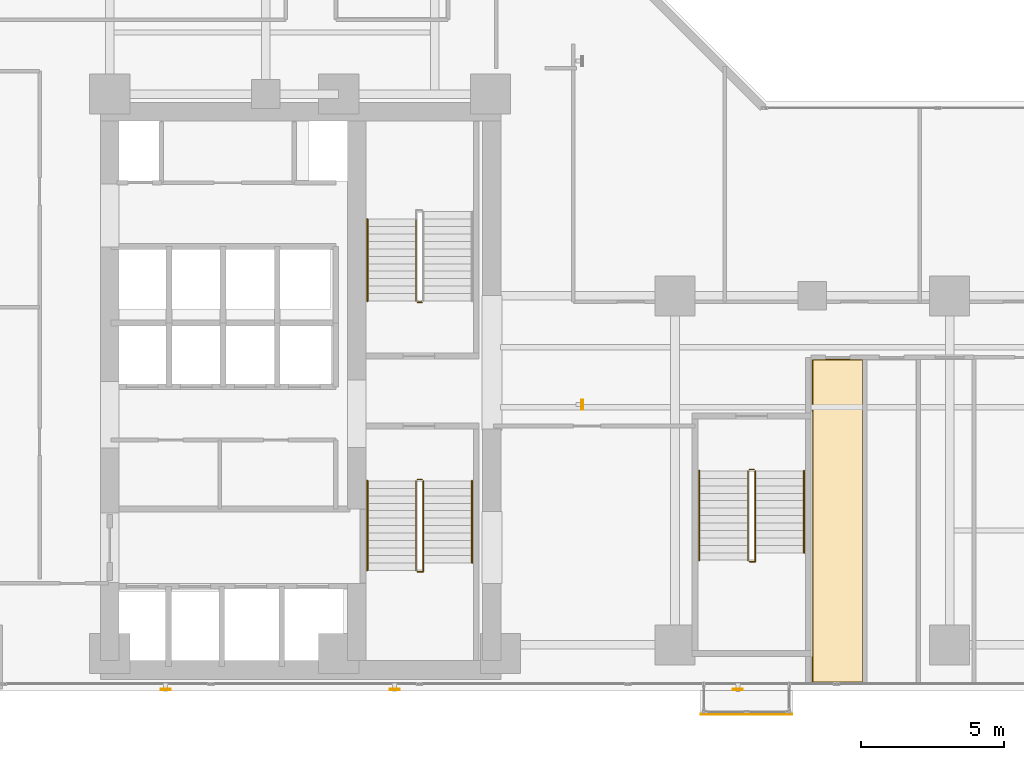
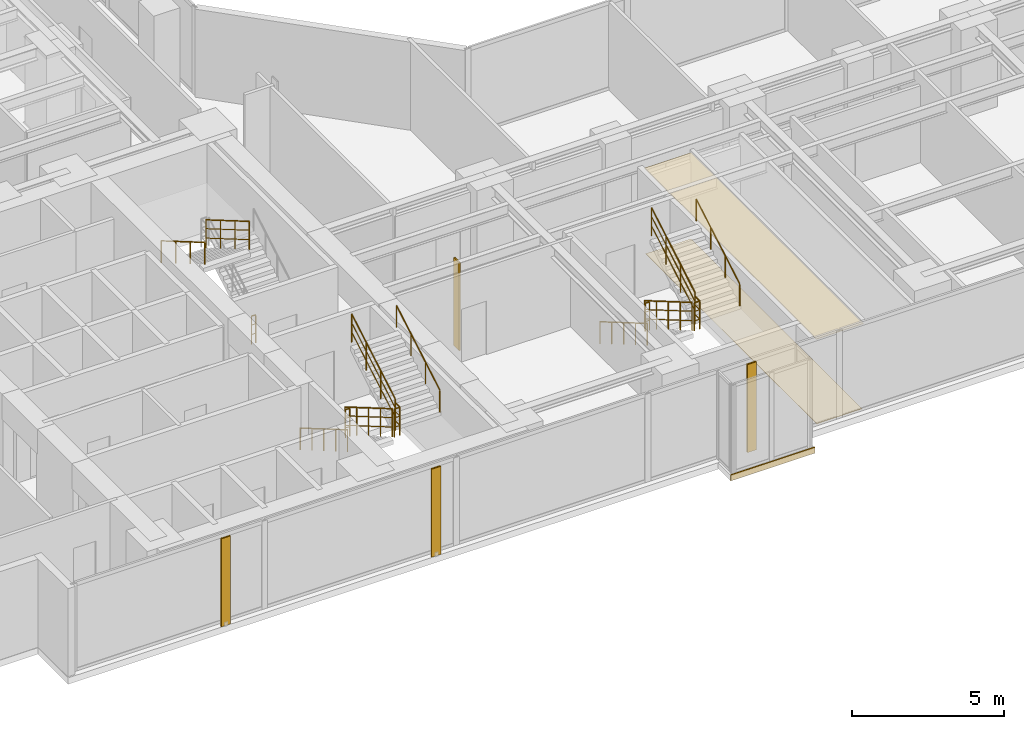
# One storey, part 23 of 26: 15 railings, 4 shading devices, 3 coverings.
"""IFC4 building model written with IfcOpenShell, lengths in metres."""

import ifcopenshell
import ifcopenshell.guid

model = None  # the IFC model being written
_history = None  # IfcOwnerHistory: only IFC2X3 demands one
_inside = {}  # id of a spatial element -> (the spatial element, [elements in it])
_under = {}  # id of a project, library or spatial element -> (it, [spatial elements below it])
_declared = {}  # id of a project -> (the project, [libraries it declares])
_typed = {}  # id of a type object -> (the type object, [elements of that type])
_made_of = {}  # id of a material, layer set ... -> (it, [elements and type objects made of it])


def new_model(schema):
    """Start an empty IFC model of exactly this schema.

    Asked for "IFC4X3", IfcOpenShell would pick the latest addendum, in which some entities
    have other attributes; the version numbers below select the first issue.
    IFC2X3 requires an IfcOwnerHistory on every rooted entity: one is made here for all.
    """
    global model, _history
    if schema == "IFC4X3":
        model = ifcopenshell.file(schema_version=(4, 3, 0, 0))
    else:
        model = ifcopenshell.file(schema=schema)
    _inside.clear()
    _under.clear()
    _declared.clear()
    _typed.clear()
    _made_of.clear()
    _history = None
    if model.schema == "IFC2X3":
        org = make("IfcOrganization", Name="unknown")
        user = make(
            "IfcPersonAndOrganization",
            ThePerson=make("IfcPerson", FamilyName="unknown"),
            TheOrganization=org,
        )
        app = make(
            "IfcApplication",
            ApplicationDeveloper=org,
            Version="unknown",
            ApplicationFullName="unknown",
            ApplicationIdentifier="unknown",
        )
        _history = make(
            "IfcOwnerHistory",
            OwningUser=user,
            OwningApplication=app,
            ChangeAction="ADDED",
            CreationDate=0,
        )
    return model


def make(cls, **values):
    """One entity of the class cls with the attributes given. An attribute that is None is left unset."""
    return model.create_entity(
        cls, **{name: value for name, value in values.items() if value is not None}
    )


def rooted(cls, **values):
    """An entity with a GlobalId (a new one), such as an element, a storey or a relation."""
    return make(cls, GlobalId=ifcopenshell.guid.new(), OwnerHistory=_history, **values)


def si_unit(unit_type, name, prefix=None):
    """IfcSIUnit, for example si_unit("LENGTHUNIT", "METRE", prefix="MILLI")."""
    return make("IfcSIUnit", UnitType=unit_type, Prefix=prefix, Name=name)


def assignment(units):
    """IfcUnitAssignment: the units of a project."""
    return None if units is None else make("IfcUnitAssignment", Units=units)


def point(xyz):
    """IfcCartesianPoint."""
    return None if xyz is None else make("IfcCartesianPoint", Coordinates=xyz)


def direction(xyz):
    """IfcDirection."""
    return None if xyz is None else make("IfcDirection", DirectionRatios=xyz)


def frame(location, z_axis=None, x_axis=None):
    """IfcAxis2Placement3D, a coordinate frame: its origin and axes. An axis left out is left unset."""
    return make(
        "IfcAxis2Placement3D",
        Location=point(location),
        Axis=direction(z_axis),
        RefDirection=direction(x_axis),
    )


def frame_2d(location, x_axis=None):
    """IfcAxis2Placement2D, a coordinate frame in the plane: its origin and x axis."""
    return make(
        "IfcAxis2Placement2D", Location=point(location), RefDirection=direction(x_axis)
    )


def origin():
    """The frame at (0, 0, 0) with its axes left unset."""
    return frame((0.0, 0.0, 0.0))


def origin_2d():
    """The frame at (0, 0) in the plane with its x axis left unset."""
    return frame_2d((0.0, 0.0))


def place(relative_to, where):
    """IfcLocalPlacement: puts the frame where relative to a parent placement (None: the world)."""
    return make(
        "IfcLocalPlacement", PlacementRelTo=relative_to, RelativePlacement=where
    )


def context(
    kind, dimensions, precision=None, world=None, true_north=None, identifier=None
):
    """IfcGeometricRepresentationContext, for example the 3D "Model" context."""
    return make(
        "IfcGeometricRepresentationContext",
        ContextIdentifier=identifier,
        ContextType=kind,
        CoordinateSpaceDimension=dimensions,
        Precision=precision,
        WorldCoordinateSystem=world,
        TrueNorth=true_north,
    )


def subcontext(parent, identifier, kind, view, scale=None):
    """IfcGeometricRepresentationSubContext, for example "Body" below "Model"."""
    return make(
        "IfcGeometricRepresentationSubContext",
        ContextIdentifier=identifier,
        ContextType=kind,
        ParentContext=parent,
        TargetScale=scale,
        TargetView=view,
    )


def project(units=None, contexts=None):
    """IfcProject with its units and contexts."""
    return rooted(
        "IfcProject",
        Name="project",
        RepresentationContexts=contexts,
        UnitsInContext=assignment(units),
    )


def spatial(cls, under=None, at=None, **own):
    """A site, building, storey or space (cls), placed at a placement, below another one or the project."""
    s = rooted(cls, ObjectPlacement=at, **own)
    if under is not None:
        _under.setdefault(under.id(), (under, []))[1].append(s)
    return s


def polyline(points):
    """IfcPolyline through the points."""
    return make("IfcPolyline", Points=[point(p) for p in points])


def profile(cls, at=None, kind="AREA", **sizes):
    """A parametric profile (cls). Its sizes go by their IFC names, for example OverallWidth=200.0."""
    return make(cls, ProfileType=kind, Position=at, **sizes)


def rectangle(**sizes):
    """IfcRectangleProfileDef."""
    return profile("IfcRectangleProfileDef", **sizes)


def hollow_rectangle(**sizes):
    """IfcRectangleHollowProfileDef."""
    return profile("IfcRectangleHollowProfileDef", **sizes)


def circle(**sizes):
    """IfcCircleProfileDef."""
    return profile("IfcCircleProfileDef", **sizes)


def outline(outer, holes=None, kind="AREA"):
    """IfcArbitraryClosedProfileDef: a profile drawn as a closed curve; with holes, ...WithVoids."""
    if holes is None:
        return make("IfcArbitraryClosedProfileDef", ProfileType=kind, OuterCurve=outer)
    return make(
        "IfcArbitraryProfileDefWithVoids",
        ProfileType=kind,
        OuterCurve=outer,
        InnerCurves=holes,
    )


def extrude(swept, where, along, depth):
    """IfcExtrudedAreaSolid: the profile swept, set in the frame where, extruded along a direction by depth."""
    return make(
        "IfcExtrudedAreaSolid",
        SweptArea=swept,
        Position=where,
        ExtrudedDirection=direction(along),
        Depth=depth,
    )


def shape(context_of_items, identifier, shape_type, items):
    """IfcShapeRepresentation: the items that make up one representation, for example the "Body"."""
    return make(
        "IfcShapeRepresentation",
        ContextOfItems=context_of_items,
        RepresentationIdentifier=identifier,
        RepresentationType=shape_type,
        Items=items,
    )


def material(Name=None, Category=None):
    """IfcMaterial."""
    return make("IfcMaterial", Name=Name, Category=Category)


def layer(
    of_material, thickness, ventilated=None, Name=None, Category=None, Priority=None
):
    """IfcMaterialLayer: one layer of a wall or slab, of a material (None: an air gap)."""
    return make(
        "IfcMaterialLayer",
        Material=of_material,
        LayerThickness=thickness,
        IsVentilated=ventilated,
        Name=Name,
        Category=Category,
        Priority=Priority,
    )


def layer_set(layers, Name=None):
    """IfcMaterialLayerSet."""
    return make("IfcMaterialLayerSet", MaterialLayers=layers, LayerSetName=Name)


def material_profile(
    of_material, cross_section, Name=None, Category=None, Priority=None
):
    """IfcMaterialProfile: a cross section and its material."""
    return make(
        "IfcMaterialProfile",
        Name=Name,
        Material=of_material,
        Profile=cross_section,
        Priority=Priority,
        Category=Category,
    )


def profile_set(profiles, Name=None, composite=None):
    """IfcMaterialProfileSet."""
    return make(
        "IfcMaterialProfileSet",
        Name=Name,
        MaterialProfiles=profiles,
        CompositeProfile=composite,
    )


def made_of(thing, what):
    """Note that an element or type object is made of a material, layer set ...; save() writes the relation."""
    if what is not None:
        _made_of.setdefault(what.id(), (what, []))[1].append(thing)
    return thing


def type_object(cls, material=None, **own):
    """A type object (cls), such as IfcWallType, which elements share."""
    return made_of(rooted(cls, **own), material)


def element(
    cls,
    number,
    at=None,
    inside=None,
    cuts=None,
    type_object=None,
    material=None,
    context=None,
    identifier="Body",
    shape_type=None,
    held_by="IfcProductDefinitionShape",
    body=None,
    shapes=None,
    **own,
):
    """One element of the class cls, such as IfcWall. Its Tag is "e" and its number.

    at: its placement. inside: the storey or other place that contains it. cuts: it is an
    opening in that element (IfcRelVoidsElement). A single representation is given by context,
    identifier, shape_type and body (its items); several are given by shapes. held_by: the class
    of the entity that holds the representations. save() writes the other relations.
    """
    e = rooted(cls, Tag="e%d" % number, ObjectPlacement=at, **own)
    if body is not None:
        shapes = [shape(context, identifier, shape_type, body)]
    if shapes is not None:
        e.Representation = make(held_by, Representations=shapes)
    if inside is not None:
        _inside.setdefault(inside.id(), (inside, []))[1].append(e)
    if cuts is not None:
        rooted(
            "IfcRelVoidsElement", RelatingBuildingElement=cuts, RelatedOpeningElement=e
        )
    if type_object is not None:
        _typed.setdefault(type_object.id(), (type_object, []))[1].append(e)
    return made_of(e, material)


def aggregate(whole, parts):
    """IfcRelAggregates: a whole, such as a stair, and the parts it consists of."""
    return rooted("IfcRelAggregates", RelatingObject=whole, RelatedObjects=parts)


def save(model, path):
    """Write the relations noted so far, then the file.

    IfcRelAggregates (storeys below a building ...), IfcRelContainedInSpatialStructure (elements
    in a storey), IfcRelDefinesByType, IfcRelAssociatesMaterial and IfcRelDeclares: one each for
    every whole, place, type object, material and project.
    """
    for whole, parts in _under.values():
        aggregate(whole, parts)
    for where, things in _inside.values():
        rooted(
            "IfcRelContainedInSpatialStructure",
            RelatedElements=things,
            RelatingStructure=where,
        )
    for kind, things in _typed.values():
        rooted("IfcRelDefinesByType", RelatedObjects=things, RelatingType=kind)
    for what, things in _made_of.values():
        rooted("IfcRelAssociatesMaterial", RelatedObjects=things, RelatingMaterial=what)
    for by, libraries in _declared.values():
        rooted("IfcRelDeclares", RelatingContext=by, RelatedDefinitions=libraries)
    model.write(path)


model = new_model("IFC4")

# Units and contexts
model_context = context("Model", 3, precision=1e-05, world=origin(), true_north=direction((0.0, 1.0)))
body_context = subcontext(model_context, "Body", "Model", "MODEL_VIEW")
ifc_project = project(units=[si_unit("LENGTHUNIT", "METRE"), si_unit("AREAUNIT", "SQUARE_METRE"), si_unit("VOLUMEUNIT", "CUBIC_METRE"), si_unit("PLANEANGLEUNIT", "RADIAN"), si_unit("MASSUNIT", "GRAM", prefix="KILO")], contexts=[model_context])

# Site, building, storey
site_placement = place(None, origin())
site = spatial("IfcSite", under=ifc_project, at=site_placement, CompositionType="ELEMENT")
building_placement = place(site_placement, origin())
building = spatial("IfcBuilding", under=site, at=building_placement, Name="Kolvaren Waterfront Exchange", CompositionType="ELEMENT")
storey_placement = place(building_placement, frame((0.0, 0.0, 125.89990234375)))
storey = spatial("IfcBuildingStorey", under=building, at=storey_placement, Name="L32", CompositionType="ELEMENT", Elevation=125.89990234375)

# Coverings
ifc_material_1 = material(Name="Mineral fibre acoustic ceiling tile")
ifc_layer_1 = layer(ifc_material_1, 0.02490234375, Name="Mineral fibre acoustic ceiling tile")
ifc_layer_set_1 = layer_set([ifc_layer_1], Name="Mineral fibre acoustic ceiling tile")
covering_type_1 = type_object("IfcCoveringType", Name="ARC-CEIL-ACOUSTIC-25", PredefinedType="CEILING", material=ifc_layer_set_1)
covering_1_placement = place(storey_placement, frame((0.0, 0.0, 3.425048828125)))
element("IfcCovering", 1, at=covering_1_placement, inside=storey, type_object=covering_type_1, Name="L32 acoustic suspended ceiling 2", PredefinedType="CEILING", context=body_context, shape_type="SweptSolid", body=[
    extrude(outline(polyline([(33.784912109375, 3.864990234375), (33.784912109375, 15.195068359375), (31.9951171875, 15.195068359375), (31.9951171875, 13.35009765625), (32.0, 13.35009765625), (32.0, 4.800048828125), (31.9951171875, 4.800048828125), (31.9951171875, 3.864990234375), (33.784912109375, 3.864990234375)])), origin(), (0.0, 0.0, 1.0), 0.025146484375),
])
ifc_material_2 = material(Name="Anodised bronze fascia aluminium", Category="aluminium")
ifc_layer_2 = layer(ifc_material_2, 0.034912109375, Name="Anodised bronze fascia aluminium")
ifc_layer_set_2 = layer_set([ifc_layer_2], Name="Anodised bronze fascia aluminium")
covering_type_2 = type_object("IfcCoveringType", Name="ARC-CLAD-BRONZE-35", PredefinedType="CLADDING", material=ifc_layer_set_2)
covering_2_placement = place(storey_placement, frame((29.699951171875, 2.77001953125, -0.2197265625), z_axis=(0.0, 0.0, 1.0), x_axis=(1.0, 0.0, 0.0)))
element("IfcCovering", 2, at=covering_2_placement, inside=storey, type_object=covering_type_2, Name="L32 ribbed anodised bronze bay-box fascia", PredefinedType="CLADDING", context=body_context, shape_type="SweptSolid", body=[
    extrude(rectangle(XDim=3.199951171875, YDim=0.034912109375, at=origin_2d()), origin(), (0.0, 0.0, 1.0), 0.239990234375),
])

# Shading devices
ifc_material_3 = material(Name="Anodised bronze aluminium 6063-T6", Category="aluminium")
ifc_material_profile = material_profile(ifc_material_3, hollow_rectangle(XDim=0.06005859375, YDim=0.35009765625, WallThickness=0.0048828125, at=origin_2d()), Name="BRZ-FIN-350x60x5")
ifc_profile_set = profile_set([ifc_material_profile], Name="Anodised bronze aluminium 6063-T6")
shading_device_type = type_object("IfcShadingDeviceType", Name="ARC-FIN-350", PredefinedType="USERDEFINED", material=ifc_profile_set)
for number, where, z_axis, x_axis, name in (
    (3, (9.39990234375, 3.639892578125, 0.0), (0.0, 0.0, 1.0), (0.0, -1.0, 0.0), "L32 anodised bronze solar shading fin FIN-L32-S1"),
    (4, (17.39990234375, 3.639892578125, 0.0), (0.0, 0.0, 1.0), (0.0, -1.0, 0.0), "L32 anodised bronze solar shading fin FIN-L32-S2"),
    (5, (29.39990234375, 3.639892578125, 0.0), (0.0, 0.0, 1.0), (0.0, -1.0, 0.0), "L32 anodised bronze solar shading fin FIN-L32-S3"),
    (6, (23.9599609375, 13.60009765625, 0.0), (0.0, 0.0, 1.0), (1.0, 0.0, 0.0), "L32 anodised bronze solar shading fin FIN-L32-E1"),
):
    element("IfcShadingDevice", number, at=place(storey_placement, frame(where, z_axis=z_axis, x_axis=x_axis)), inside=storey, type_object=shading_device_type, Name=name, ObjectType="SOLAR FIN", PredefinedType="USERDEFINED", context=body_context, shape_type="SweptSolid", body=[
        extrude(hollow_rectangle(XDim=0.06005859375, YDim=0.35009765625, WallThickness=0.0048828125, at=origin_2d()), origin(), (0.0, 0.0, 1.0), 3.5400390625),
    ])

# Covering
ifc_material_4 = material(Name="Slip-resistant porcelain tile")
ifc_layer_3 = layer(ifc_material_4, 0.014892578125, Name="Slip-resistant porcelain tile")
ifc_layer_set_3 = layer_set([ifc_layer_3], Name="Slip-resistant porcelain tile")
covering_type_3 = type_object("IfcCoveringType", Name="ARC-FLR-PORC-15", PredefinedType="FLOORING", material=ifc_layer_set_3)
covering_3_placement = place(storey_placement, origin())
element("IfcCovering", 7, at=covering_3_placement, inside=storey, type_object=covering_type_3, Name="L32 floor finish 2", PredefinedType="FLOORING", context=body_context, shape_type="SweptSolid", body=[
    extrude(outline(polyline([(32.030029296875, 15.159912109375), (32.030029296875, 3.89990234375), (33.75, 3.89990234375), (33.75, 15.159912109375), (32.030029296875, 15.159912109375)])), origin(), (0.0, 0.0, 1.0), 0.01513671875),
])

# Railings
ifc_material_5 = material(Name="Stainless steel 316", Category="steel")
railing_type_1 = type_object("IfcRailingType", Name="ARC-GUARD-STAIR", PredefinedType="GUARDRAIL", material=ifc_material_5)
railing_1_placement = place(storey_placement, frame((18.14990234375, 10.929931640625, 0.152099609375)))
element("IfcRailing", 8, at=railing_1_placement, inside=storey, type_object=railing_type_1, Name="L32 ST1 stair guard 1", PredefinedType="GUARDRAIL", context=body_context, shape_type="SweptSolid", body=[
    extrude(circle(Radius=0.02392578125, at=origin_2d()), frame((0.0, 0.0, 1.1259765625), z_axis=(0.0, -0.86329090724, 0.504706656858), x_axis=(1.0, 0.0, 0.0)), (0.0, 0.0, 1.0), 3.614013671875),
    extrude(circle(Radius=0.01611328125, at=origin_2d()), frame((0.0, 0.0, 0.390869140625), z_axis=(0.0, -0.86329090724, 0.504706656858), x_axis=(1.0, 0.0, 0.0)), (0.0, 0.0, 1.0), 3.614013671875),
    extrude(circle(Radius=0.01611328125, at=origin_2d()), frame((0.0, 0.0, 0.7705078125), z_axis=(0.0, -0.86329090724, 0.504706656858), x_axis=(1.0, 0.0, 0.0)), (0.0, 0.0, 1.0), 3.614013671875),
    extrude(circle(Radius=0.02099609375, at=origin_2d()), origin(), (0.0, 0.0, 1.0), 1.101806640625),
    extrude(circle(Radius=0.02099609375, at=origin_2d()), frame((0.0, -0.780029296875, 0.4560546875)), (0.0, 0.0, 1.0), 1.101806640625),
    extrude(circle(Radius=0.02099609375, at=origin_2d()), frame((0.0, -1.56005859375, 0.912109375)), (0.0, 0.0, 1.0), 1.101806640625),
    extrude(circle(Radius=0.02099609375, at=origin_2d()), frame((0.0, -2.33984375, 1.367919921875)), (0.0, 0.0, 1.0), 1.101806640625),
    extrude(circle(Radius=0.02099609375, at=origin_2d()), frame((0.0, -3.119873046875, 1.823974609375)), (0.0, 0.0, 1.0), 1.101806640625),
])
railing_2_placement = place(storey_placement, frame((18.199951171875, 7.760009765625, 1.97607421875)))
element("IfcRailing", 9, at=railing_2_placement, inside=storey, type_object=railing_type_1, Name="L32 ST1 stair guard 2", PredefinedType="GUARDRAIL", context=body_context, shape_type="SweptSolid", body=[
    extrude(circle(Radius=0.02392578125, at=origin_2d()), frame((0.0, 0.0, 1.1259765625), z_axis=(1.0, 0.0, 0.0), x_axis=(0.0, 1.0, 0.0)), (0.0, 0.0, 1.0), 0.2099609375),
    extrude(circle(Radius=0.01611328125, at=origin_2d()), frame((0.0, 0.0, 0.390869140625), z_axis=(1.0, 0.0, 0.0), x_axis=(0.0, 1.0, 0.0)), (0.0, 0.0, 1.0), 0.2099609375),
    extrude(circle(Radius=0.01611328125, at=origin_2d()), frame((0.0, 0.0, 0.7705078125), z_axis=(1.0, 0.0, 0.0), x_axis=(0.0, 1.0, 0.0)), (0.0, 0.0, 1.0), 0.2099609375),
    extrude(circle(Radius=0.02392578125, at=origin_2d()), frame((0.2099609375, 0.0, 1.1259765625), z_axis=(0.0, 1.0, 0.0), x_axis=(-1.0, 0.0, 0.0)), (0.0, 0.0, 1.0), 0.31005859375),
    extrude(circle(Radius=0.01611328125, at=origin_2d()), frame((0.2099609375, 0.0, 0.390869140625), z_axis=(0.0, 1.0, 0.0), x_axis=(-1.0, 0.0, 0.0)), (0.0, 0.0, 1.0), 0.31005859375),
    extrude(circle(Radius=0.01611328125, at=origin_2d()), frame((0.2099609375, 0.0, 0.7705078125), z_axis=(0.0, 1.0, 0.0), x_axis=(-1.0, 0.0, 0.0)), (0.0, 0.0, 1.0), 0.31005859375),
    extrude(circle(Radius=0.02099609375, at=origin_2d()), origin(), (0.0, 0.0, 1.0), 1.101806640625),
    extrude(circle(Radius=0.02099609375, at=origin_2d()), frame((0.2099609375, 0.0, 0.0)), (0.0, 0.0, 1.0), 1.101806640625),
    extrude(circle(Radius=0.02099609375, at=origin_2d()), frame((0.2099609375, 0.31005859375, 0.0)), (0.0, 0.0, 1.0), 1.101806640625),
])
railing_3_placement = place(storey_placement, frame((18.409912109375, 8.070068359375, 2.128173828125)))
element("IfcRailing", 10, at=railing_3_placement, inside=storey, type_object=railing_type_1, Name="L32 ST1 stair guard 3", PredefinedType="GUARDRAIL", context=body_context, shape_type="SweptSolid", body=[
    extrude(circle(Radius=0.02392578125, at=origin_2d()), frame((0.0, 0.0, 1.1259765625), z_axis=(0.0, 0.86330272217, 0.504686447108), x_axis=(-1.0, 0.0, 0.0)), (0.0, 0.0, 1.0), 3.312744140625),
    extrude(circle(Radius=0.01611328125, at=origin_2d()), frame((0.0, 0.0, 0.390869140625), z_axis=(0.0, 0.86330272217, 0.504686447108), x_axis=(-1.0, 0.0, 0.0)), (0.0, 0.0, 1.0), 3.312744140625),
    extrude(circle(Radius=0.01611328125, at=origin_2d()), frame((0.0, 0.0, 0.7705078125), z_axis=(0.0, 0.86330272217, 0.504686447108), x_axis=(-1.0, 0.0, 0.0)), (0.0, 0.0, 1.0), 3.312744140625),
    extrude(circle(Radius=0.02099609375, at=origin_2d()), origin(), (0.0, 0.0, 1.0), 1.101806640625),
    extrude(circle(Radius=0.02099609375, at=origin_2d()), frame((0.0, 0.953369140625, 0.557373046875)), (0.0, 0.0, 1.0), 1.101806640625),
    extrude(circle(Radius=0.02099609375, at=origin_2d()), frame((0.0, 1.906494140625, 1.114501953125)), (0.0, 0.0, 1.0), 1.101806640625),
    extrude(circle(Radius=0.02099609375, at=origin_2d()), frame((0.0, 2.85986328125, 1.671875)), (0.0, 0.0, 1.0), 1.101806640625),
])
railing_4_placement = place(storey_placement, frame((18.199951171875, 10.97998046875, 0.0)))
element("IfcRailing", 11, at=railing_4_placement, inside=storey, type_object=railing_type_1, Name="L32 ST1 stair guard 4", PredefinedType="GUARDRAIL", context=body_context, shape_type="SweptSolid", body=[
    extrude(circle(Radius=0.02392578125, at=origin_2d()), frame((0.0, 0.0, 1.1259765625), z_axis=(1.0, 0.0, 0.0), x_axis=(0.0, 1.0, 0.0)), (0.0, 0.0, 1.0), 0.16015625),
    extrude(circle(Radius=0.01611328125, at=origin_2d()), frame((0.0, 0.0, 0.390869140625), z_axis=(1.0, 0.0, 0.0), x_axis=(0.0, 1.0, 0.0)), (0.0, 0.0, 1.0), 0.16015625),
    extrude(circle(Radius=0.01611328125, at=origin_2d()), frame((0.0, 0.0, 0.7705078125), z_axis=(1.0, 0.0, 0.0), x_axis=(0.0, 1.0, 0.0)), (0.0, 0.0, 1.0), 0.16015625),
    extrude(circle(Radius=0.02099609375, at=origin_2d()), origin(), (0.0, 0.0, 1.0), 1.101806640625),
    extrude(circle(Radius=0.02099609375, at=origin_2d()), frame((0.16015625, 0.0, 0.0)), (0.0, 0.0, 1.0), 1.101806640625),
])
railing_5_placement = place(storey_placement, frame((18.14990234375, 20.080078125, 2.128173828125)))
element("IfcRailing", 12, at=railing_5_placement, inside=storey, type_object=railing_type_1, Name="L32 ST2 stair guard 3", PredefinedType="GUARDRAIL", context=body_context, shape_type="SweptSolid", body=[
    extrude(circle(Radius=0.02392578125, at=origin_2d()), frame((0.0, 0.0, 1.1259765625), z_axis=(0.0, -0.863321491973, 0.504654338629), x_axis=(1.0, 0.0, 0.0)), (0.0, 0.0, 1.0), 3.31298828125),
    extrude(circle(Radius=0.01611328125, at=origin_2d()), frame((0.0, 0.0, 0.390869140625), z_axis=(0.0, -0.863321491973, 0.504654338629), x_axis=(1.0, 0.0, 0.0)), (0.0, 0.0, 1.0), 3.31298828125),
    extrude(circle(Radius=0.01611328125, at=origin_2d()), frame((0.0, 0.0, 0.7705078125), z_axis=(0.0, -0.863321491973, 0.504654338629), x_axis=(1.0, 0.0, 0.0)), (0.0, 0.0, 1.0), 3.31298828125),
    extrude(circle(Radius=0.02099609375, at=origin_2d()), origin(), (0.0, 0.0, 1.0), 1.101806640625),
    extrude(circle(Radius=0.02099609375, at=origin_2d()), frame((0.0, -0.953369140625, 0.557373046875)), (0.0, 0.0, 1.0), 1.101806640625),
    extrude(circle(Radius=0.02099609375, at=origin_2d()), frame((0.0, -1.90673828125, 1.114501953125)), (0.0, 0.0, 1.0), 1.101806640625),
    extrude(circle(Radius=0.02099609375, at=origin_2d()), frame((0.0, -2.860107421875, 1.671875)), (0.0, 0.0, 1.0), 1.101806640625),
])
railing_6_placement = place(storey_placement, frame((18.360107421875, 17.169921875, 0.0)))
element("IfcRailing", 13, at=railing_6_placement, inside=storey, type_object=railing_type_1, Name="L32 ST2 stair guard 4", PredefinedType="GUARDRAIL", context=body_context, shape_type="SweptSolid", body=[
    extrude(circle(Radius=0.02392578125, at=origin_2d()), frame((0.0, 0.0, 1.1259765625), z_axis=(-1.0, 0.0, 0.0), x_axis=(0.0, -1.0, 0.0)), (0.0, 0.0, 1.0), 0.16015625),
    extrude(circle(Radius=0.01611328125, at=origin_2d()), frame((0.0, 0.0, 0.390869140625), z_axis=(-1.0, 0.0, 0.0), x_axis=(0.0, -1.0, 0.0)), (0.0, 0.0, 1.0), 0.16015625),
    extrude(circle(Radius=0.01611328125, at=origin_2d()), frame((0.0, 0.0, 0.7705078125), z_axis=(-1.0, 0.0, 0.0), x_axis=(0.0, -1.0, 0.0)), (0.0, 0.0, 1.0), 0.16015625),
    extrude(circle(Radius=0.02099609375, at=origin_2d()), origin(), (0.0, 0.0, 1.0), 1.101806640625),
    extrude(circle(Radius=0.02099609375, at=origin_2d()), frame((-0.16015625, 0.0, 0.0)), (0.0, 0.0, 1.0), 1.101806640625),
])
railing_7_placement = place(storey_placement, frame((29.75, 11.280029296875, 0.152099609375)))
element("IfcRailing", 14, at=railing_7_placement, inside=storey, type_object=railing_type_1, Name="L32 ST3 stair guard 1", PredefinedType="GUARDRAIL", context=body_context, shape_type="SweptSolid", body=[
    extrude(circle(Radius=0.02392578125, at=origin_2d()), frame((0.0, 0.0, 1.1259765625), z_axis=(0.0, -0.86330811405, 0.504677223793), x_axis=(1.0, 0.0, 0.0)), (0.0, 0.0, 1.0), 3.6142578125),
    extrude(circle(Radius=0.01611328125, at=origin_2d()), frame((0.0, 0.0, 0.390869140625), z_axis=(0.0, -0.86330811405, 0.504677223793), x_axis=(1.0, 0.0, 0.0)), (0.0, 0.0, 1.0), 3.6142578125),
    extrude(circle(Radius=0.01611328125, at=origin_2d()), frame((0.0, 0.0, 0.7705078125), z_axis=(0.0, -0.86330811405, 0.504677223793), x_axis=(1.0, 0.0, 0.0)), (0.0, 0.0, 1.0), 3.6142578125),
    extrude(circle(Radius=0.02099609375, at=origin_2d()), origin(), (0.0, 0.0, 1.0), 1.101806640625),
    extrude(circle(Radius=0.02099609375, at=origin_2d()), frame((0.0, -0.780029296875, 0.4560546875)), (0.0, 0.0, 1.0), 1.101806640625),
    extrude(circle(Radius=0.02099609375, at=origin_2d()), frame((0.0, -1.56005859375, 0.912109375)), (0.0, 0.0, 1.0), 1.101806640625),
    extrude(circle(Radius=0.02099609375, at=origin_2d()), frame((0.0, -2.340087890625, 1.367919921875)), (0.0, 0.0, 1.0), 1.101806640625),
    extrude(circle(Radius=0.02099609375, at=origin_2d()), frame((0.0, -3.1201171875, 1.823974609375)), (0.0, 0.0, 1.0), 1.101806640625),
])
railing_8_placement = place(storey_placement, frame((29.800048828125, 8.110107421875, 1.97607421875)))
element("IfcRailing", 15, at=railing_8_placement, inside=storey, type_object=railing_type_1, Name="L32 ST3 stair guard 2", PredefinedType="GUARDRAIL", context=body_context, shape_type="SweptSolid", body=[
    extrude(circle(Radius=0.02392578125, at=origin_2d()), frame((0.0, 0.0, 1.1259765625), z_axis=(1.0, 0.0, 0.0), x_axis=(0.0, 1.0, 0.0)), (0.0, 0.0, 1.0), 0.2099609375),
    extrude(circle(Radius=0.01611328125, at=origin_2d()), frame((0.0, 0.0, 0.390869140625), z_axis=(1.0, 0.0, 0.0), x_axis=(0.0, 1.0, 0.0)), (0.0, 0.0, 1.0), 0.2099609375),
    extrude(circle(Radius=0.01611328125, at=origin_2d()), frame((0.0, 0.0, 0.7705078125), z_axis=(1.0, 0.0, 0.0), x_axis=(0.0, 1.0, 0.0)), (0.0, 0.0, 1.0), 0.2099609375),
    extrude(circle(Radius=0.02392578125, at=origin_2d()), frame((0.2099609375, 0.0, 1.1259765625), z_axis=(0.0, 1.0, 0.0), x_axis=(-1.0, 0.0, 0.0)), (0.0, 0.0, 1.0), 0.309814453125),
    extrude(circle(Radius=0.01611328125, at=origin_2d()), frame((0.2099609375, 0.0, 0.390869140625), z_axis=(0.0, 1.0, 0.0), x_axis=(-1.0, 0.0, 0.0)), (0.0, 0.0, 1.0), 0.309814453125),
    extrude(circle(Radius=0.01611328125, at=origin_2d()), frame((0.2099609375, 0.0, 0.7705078125), z_axis=(0.0, 1.0, 0.0), x_axis=(-1.0, 0.0, 0.0)), (0.0, 0.0, 1.0), 0.309814453125),
    extrude(circle(Radius=0.02099609375, at=origin_2d()), origin(), (0.0, 0.0, 1.0), 1.101806640625),
    extrude(circle(Radius=0.02099609375, at=origin_2d()), frame((0.2099609375, 0.0, 0.0)), (0.0, 0.0, 1.0), 1.101806640625),
    extrude(circle(Radius=0.02099609375, at=origin_2d()), frame((0.2099609375, 0.309814453125, 0.0)), (0.0, 0.0, 1.0), 1.101806640625),
])
railing_9_placement = place(storey_placement, frame((30.010009765625, 8.419921875, 2.128173828125)))
element("IfcRailing", 16, at=railing_9_placement, inside=storey, type_object=railing_type_1, Name="L32 ST3 stair guard 3", PredefinedType="GUARDRAIL", context=body_context, shape_type="SweptSolid", body=[
    extrude(circle(Radius=0.02392578125, at=origin_2d()), frame((0.0, 0.0, 1.1259765625), z_axis=(0.0, 0.863321491973, 0.504654338629), x_axis=(-1.0, 0.0, 0.0)), (0.0, 0.0, 1.0), 3.31298828125),
    extrude(circle(Radius=0.01611328125, at=origin_2d()), frame((0.0, 0.0, 0.390869140625), z_axis=(0.0, 0.863321491973, 0.504654338629), x_axis=(-1.0, 0.0, 0.0)), (0.0, 0.0, 1.0), 3.31298828125),
    extrude(circle(Radius=0.01611328125, at=origin_2d()), frame((0.0, 0.0, 0.7705078125), z_axis=(0.0, 0.863321491973, 0.504654338629), x_axis=(-1.0, 0.0, 0.0)), (0.0, 0.0, 1.0), 3.31298828125),
    extrude(circle(Radius=0.02099609375, at=origin_2d()), origin(), (0.0, 0.0, 1.0), 1.101806640625),
    extrude(circle(Radius=0.02099609375, at=origin_2d()), frame((0.0, 0.953369140625, 0.557373046875)), (0.0, 0.0, 1.0), 1.101806640625),
    extrude(circle(Radius=0.02099609375, at=origin_2d()), frame((0.0, 1.90673828125, 1.114501953125)), (0.0, 0.0, 1.0), 1.101806640625),
    extrude(circle(Radius=0.02099609375, at=origin_2d()), frame((0.0, 2.860107421875, 1.671875)), (0.0, 0.0, 1.0), 1.101806640625),
])
railing_10_placement = place(storey_placement, frame((29.800048828125, 11.330078125, 0.0)))
element("IfcRailing", 17, at=railing_10_placement, inside=storey, type_object=railing_type_1, Name="L32 ST3 stair guard 4", PredefinedType="GUARDRAIL", context=body_context, shape_type="SweptSolid", body=[
    extrude(circle(Radius=0.02392578125, at=origin_2d()), frame((0.0, 0.0, 1.1259765625), z_axis=(1.0, 0.0, 0.0), x_axis=(0.0, 1.0, 0.0)), (0.0, 0.0, 1.0), 0.159912109375),
    extrude(circle(Radius=0.01611328125, at=origin_2d()), frame((0.0, 0.0, 0.390869140625), z_axis=(1.0, 0.0, 0.0), x_axis=(0.0, 1.0, 0.0)), (0.0, 0.0, 1.0), 0.159912109375),
    extrude(circle(Radius=0.01611328125, at=origin_2d()), frame((0.0, 0.0, 0.7705078125), z_axis=(1.0, 0.0, 0.0), x_axis=(0.0, 1.0, 0.0)), (0.0, 0.0, 1.0), 0.159912109375),
    extrude(circle(Radius=0.02099609375, at=origin_2d()), origin(), (0.0, 0.0, 1.0), 1.101806640625),
    extrude(circle(Radius=0.02099609375, at=origin_2d()), frame((0.159912109375, 0.0, 0.0)), (0.0, 0.0, 1.0), 1.101806640625),
])
railing_type_2 = type_object("IfcRailingType", Name="ARC-HANDRAIL-900", PredefinedType="HANDRAIL", material=ifc_material_5)
railing_11_placement = place(storey_placement, frame((16.449951171875, 10.929931640625, 0.152099609375)))
element("IfcRailing", 18, at=railing_11_placement, inside=storey, type_object=railing_type_2, Name="L32 ST1 stair handrail 1", PredefinedType="HANDRAIL", context=body_context, shape_type="SweptSolid", body=[
    extrude(circle(Radius=0.02392578125, at=origin_2d()), frame((0.0, 0.0, 0.8759765625), z_axis=(0.0, -0.86329090724, 0.504706656858), x_axis=(1.0, 0.0, 0.0)), (0.0, 0.0, 1.0), 3.614013671875),
    extrude(circle(Radius=0.02099609375, at=origin_2d()), origin(), (0.0, 0.0, 1.0), 0.851806640625),
    extrude(circle(Radius=0.02099609375, at=origin_2d()), frame((0.0, -0.780029296875, 0.4560546875)), (0.0, 0.0, 1.0), 0.851806640625),
    extrude(circle(Radius=0.02099609375, at=origin_2d()), frame((0.0, -1.56005859375, 0.912109375)), (0.0, 0.0, 1.0), 0.851806640625),
    extrude(circle(Radius=0.02099609375, at=origin_2d()), frame((0.0, -2.33984375, 1.367919921875)), (0.0, 0.0, 1.0), 0.851806640625),
    extrude(circle(Radius=0.02099609375, at=origin_2d()), frame((0.0, -3.119873046875, 1.823974609375)), (0.0, 0.0, 1.0), 0.851806640625),
])
railing_12_placement = place(storey_placement, frame((20.110107421875, 8.070068359375, 2.128173828125)))
element("IfcRailing", 19, at=railing_12_placement, inside=storey, type_object=railing_type_2, Name="L32 ST1 stair handrail 2", PredefinedType="HANDRAIL", context=body_context, shape_type="SweptSolid", body=[
    extrude(circle(Radius=0.02392578125, at=origin_2d()), frame((0.0, 0.0, 0.8759765625), z_axis=(0.0, 0.86330272217, 0.504686447108), x_axis=(-1.0, 0.0, 0.0)), (0.0, 0.0, 1.0), 3.312744140625),
    extrude(circle(Radius=0.02099609375, at=origin_2d()), origin(), (0.0, 0.0, 1.0), 0.851806640625),
    extrude(circle(Radius=0.02099609375, at=origin_2d()), frame((0.0, 0.953369140625, 0.557373046875)), (0.0, 0.0, 1.0), 0.851806640625),
    extrude(circle(Radius=0.02099609375, at=origin_2d()), frame((0.0, 1.906494140625, 1.114501953125)), (0.0, 0.0, 1.0), 0.851806640625),
    extrude(circle(Radius=0.02099609375, at=origin_2d()), frame((0.0, 2.85986328125, 1.671875)), (0.0, 0.0, 1.0), 0.851806640625),
])
railing_13_placement = place(storey_placement, frame((16.449951171875, 20.080078125, 2.128173828125)))
element("IfcRailing", 20, at=railing_13_placement, inside=storey, type_object=railing_type_2, Name="L32 ST2 stair handrail 2", PredefinedType="HANDRAIL", context=body_context, shape_type="SweptSolid", body=[
    extrude(circle(Radius=0.02392578125, at=origin_2d()), frame((0.0, 0.0, 0.8759765625), z_axis=(0.0, -0.863321491973, 0.504654338629), x_axis=(1.0, 0.0, 0.0)), (0.0, 0.0, 1.0), 3.31298828125),
    extrude(circle(Radius=0.02099609375, at=origin_2d()), origin(), (0.0, 0.0, 1.0), 0.851806640625),
    extrude(circle(Radius=0.02099609375, at=origin_2d()), frame((0.0, -0.953369140625, 0.557373046875)), (0.0, 0.0, 1.0), 0.851806640625),
    extrude(circle(Radius=0.02099609375, at=origin_2d()), frame((0.0, -1.90673828125, 1.114501953125)), (0.0, 0.0, 1.0), 0.851806640625),
    extrude(circle(Radius=0.02099609375, at=origin_2d()), frame((0.0, -2.860107421875, 1.671875)), (0.0, 0.0, 1.0), 0.851806640625),
])
railing_14_placement = place(storey_placement, frame((28.050048828125, 11.280029296875, 0.152099609375)))
element("IfcRailing", 21, at=railing_14_placement, inside=storey, type_object=railing_type_2, Name="L32 ST3 stair handrail 1", PredefinedType="HANDRAIL", context=body_context, shape_type="SweptSolid", body=[
    extrude(circle(Radius=0.02392578125, at=origin_2d()), frame((0.0, 0.0, 0.8759765625), z_axis=(0.0, -0.86330811405, 0.504677223793), x_axis=(1.0, 0.0, 0.0)), (0.0, 0.0, 1.0), 3.6142578125),
    extrude(circle(Radius=0.02099609375, at=origin_2d()), origin(), (0.0, 0.0, 1.0), 0.851806640625),
    extrude(circle(Radius=0.02099609375, at=origin_2d()), frame((0.0, -0.780029296875, 0.4560546875)), (0.0, 0.0, 1.0), 0.851806640625),
    extrude(circle(Radius=0.02099609375, at=origin_2d()), frame((0.0, -1.56005859375, 0.912109375)), (0.0, 0.0, 1.0), 0.851806640625),
    extrude(circle(Radius=0.02099609375, at=origin_2d()), frame((0.0, -2.340087890625, 1.367919921875)), (0.0, 0.0, 1.0), 0.851806640625),
    extrude(circle(Radius=0.02099609375, at=origin_2d()), frame((0.0, -3.1201171875, 1.823974609375)), (0.0, 0.0, 1.0), 0.851806640625),
])
railing_15_placement = place(storey_placement, frame((31.7099609375, 8.419921875, 2.128173828125)))
element("IfcRailing", 22, at=railing_15_placement, inside=storey, type_object=railing_type_2, Name="L32 ST3 stair handrail 2", PredefinedType="HANDRAIL", context=body_context, shape_type="SweptSolid", body=[
    extrude(circle(Radius=0.02392578125, at=origin_2d()), frame((0.0, 0.0, 0.8759765625), z_axis=(0.0, 0.863321491973, 0.504654338629), x_axis=(-1.0, 0.0, 0.0)), (0.0, 0.0, 1.0), 3.31298828125),
    extrude(circle(Radius=0.02099609375, at=origin_2d()), origin(), (0.0, 0.0, 1.0), 0.851806640625),
    extrude(circle(Radius=0.02099609375, at=origin_2d()), frame((0.0, 0.953369140625, 0.557373046875)), (0.0, 0.0, 1.0), 0.851806640625),
    extrude(circle(Radius=0.02099609375, at=origin_2d()), frame((0.0, 1.90673828125, 1.114501953125)), (0.0, 0.0, 1.0), 0.851806640625),
    extrude(circle(Radius=0.02099609375, at=origin_2d()), frame((0.0, 2.860107421875, 1.671875)), (0.0, 0.0, 1.0), 0.851806640625),
])

save(model, "model.ifc")
